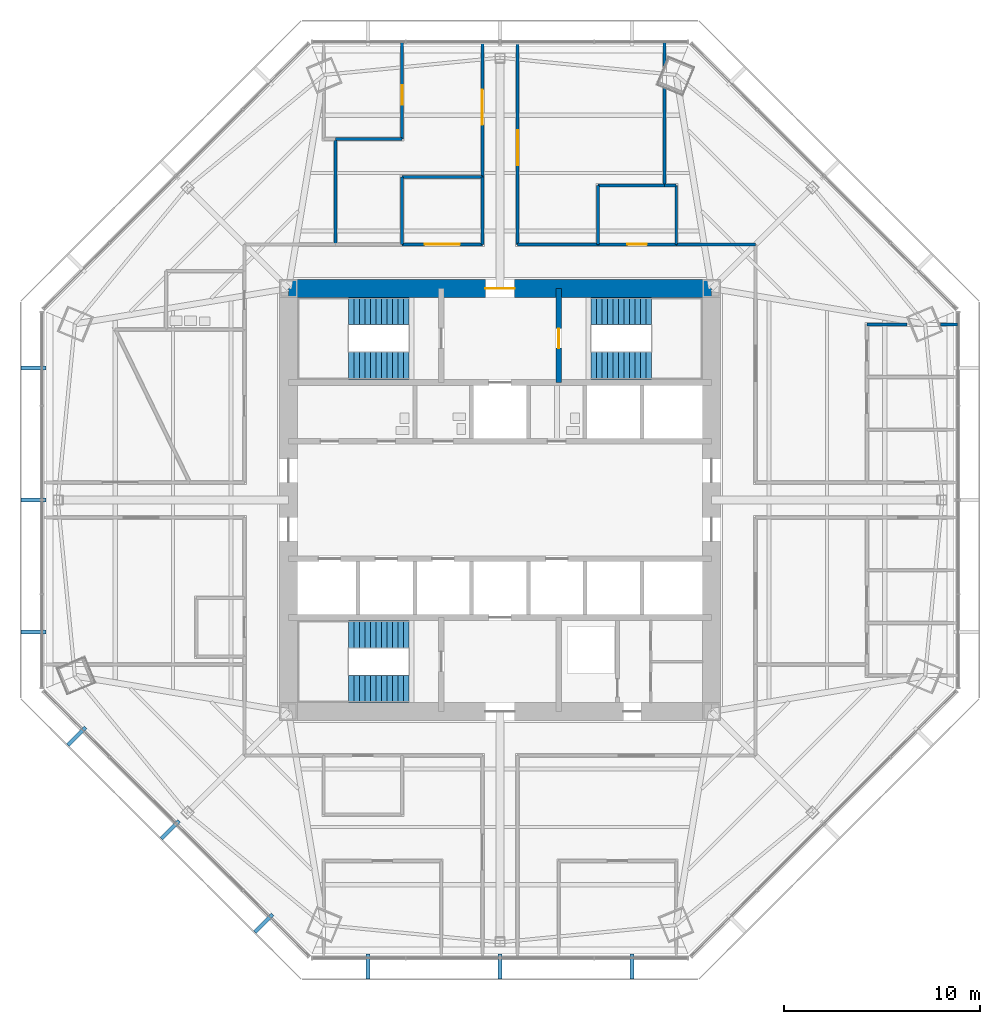
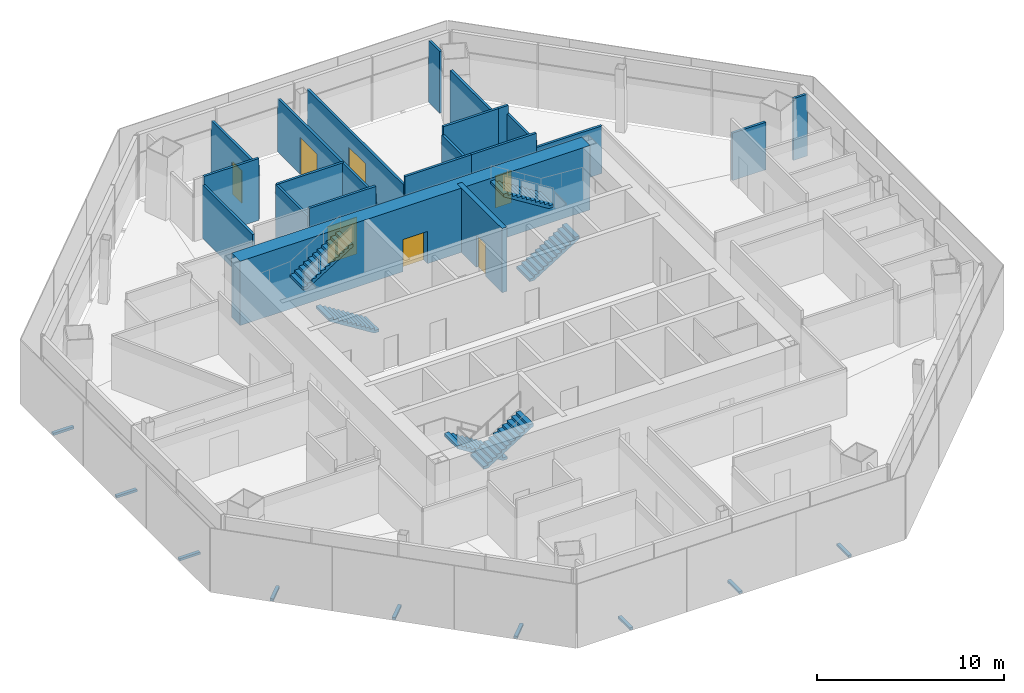
# One storey, part 11 of 15: 22 walls, 9 discrete accessories, 7 doors, 6 stair flights, 7 openings, 3 elements without a shape of their own.
"""IFC4 building model written with IfcOpenShell, lengths in metres."""

from ifc_helpers import new_model, si_unit, direction, frame, frame_2d, origin, origin_2d, place, context, subcontext, project, spatial, polyline, rectangle, outline, extrude, source, transform, mapped, material, layer, layer_set, type_object, type_shapes, element, fill, aggregate, save


model = new_model("IFC4")

# Units and contexts
model_context = context("Model", 3, precision=1e-05, world=origin(), true_north=direction((0.0, 1.0)))
body_context = subcontext(model_context, "Body", "Model", "MODEL_VIEW")
ifc_project = project(units=[si_unit("LENGTHUNIT", "METRE"), si_unit("AREAUNIT", "SQUARE_METRE"), si_unit("VOLUMEUNIT", "CUBIC_METRE"), si_unit("PLANEANGLEUNIT", "RADIAN"), si_unit("MASSUNIT", "GRAM", prefix="KILO")], contexts=[model_context])

# Site, building, storey
site_placement = place(None, origin())
site = spatial("IfcSite", under=ifc_project, at=site_placement, CompositionType="ELEMENT")
building_placement = place(site_placement, origin())
building = spatial("IfcBuilding", under=site, at=building_placement, Name="Mashrafa Tower", CompositionType="ELEMENT")
storey_placement = place(building_placement, frame((0.0, 0.0, 163.800048828125)))
storey = spatial("IfcBuildingStorey", under=building, at=storey_placement, Name="L37", CompositionType="ELEMENT", Elevation=163.800048828125)

# Wall, opening, door
ifc_material_1 = material(Name="Concrete C60/75", Category="concrete")
ifc_layer_1 = layer(ifc_material_1, 0.300048828125)
ifc_layer_set_1 = layer_set([ifc_layer_1], Name="Core wall 300 C60/75")
wall_type_1 = type_object("IfcWallType", Name="Core wall 300 C60/75", PredefinedType="SOLIDWALL", material=ifc_layer_set_1)
wall_1_placement = place(storey_placement, frame((3.0, 6.0, 0.0), z_axis=(0.0, 0.0, 1.0), x_axis=(0.0, 1.0, 0.0)))
wall_1 = element("IfcWall", 1, at=wall_1_placement, inside=storey, type_object=wall_type_1, Name="Core wall CX-NE L37", PredefinedType="SOLIDWALL", context=body_context, shape_type="SweptSolid", body=[
    extrude(rectangle(XDim=4.800048828125, YDim=0.300048828125, at=frame_2d((2.39990234375, 0.0))), origin(), (0.0, 0.0, 1.0), 4.199951171875),
])
opening_1_placement = place(wall_1_placement, frame((1.75, 0.0, 0.0)))
opening_1 = element("IfcOpeningElement", 2, at=opening_1_placement, cuts=wall_1, Name="Opening 37.031", PredefinedType="OPENING", context=body_context, shape_type="SweptSolid", body=[
    extrude(rectangle(XDim=1.0, YDim=2.10009765625, at=frame_2d((0.5, 1.050048828125))), frame((0.0, 0.159912109375, 0.0), z_axis=(0.0, -1.0, 0.0), x_axis=(1.0, 0.0, 0.0)), (0.0, 0.0, 1.0), 0.320068359375),
])
ifc_material_2 = material(Name="Steel door", Category="steel")
door_type_1 = type_object("IfcDoorType", Name="Stair door 1000 x 2100 90 min", OperationType="USERDEFINED", PredefinedType="DOOR", material=ifc_material_2)
door_1_placement = place(opening_1_placement, frame((1.0, 0.0, 0.0), z_axis=(0.0, 0.0, 1.0), x_axis=(-1.0, 0.0, 0.0)))
door_1 = element("IfcDoor", 3, at=door_1_placement, inside=storey, type_object=door_type_1, Name="Stair S2 door L37", OperationType="SINGLE_SWING_RIGHT", OverallHeight=2.10009765625, OverallWidth=1.0, PredefinedType="DOOR", context=body_context, shape_type="SweptSolid", body=[
    extrude(rectangle(XDim=1.0, YDim=2.10009765625, at=frame_2d((0.5, 1.050048828125))), frame((0.0, 0.02490234375, 0.0), z_axis=(0.0, -1.0, 0.0), x_axis=(1.0, 0.0, 0.0)), (0.0, 0.0, 1.0), 0.050048828125),
])
fill(opening_1, door_1)

ifc_material_3 = material(Name="Concrete C60/75", Category="concrete")
ifc_layer_2 = layer(ifc_material_3, 0.89990234375)
ifc_layer_set_2 = layer_set([ifc_layer_2], Name="Core wall 900 C60/75")
wall_type_2 = type_object("IfcWallType", Name="Core wall 900 C60/75", PredefinedType="SOLIDWALL", material=ifc_layer_set_2)
wall_2_placement = place(storey_placement, frame((10.800048828125, 10.800048828125, 0.0), z_axis=(0.0, 0.0, 1.0), x_axis=(-1.0, 0.0, 0.0)))
wall_2 = element("IfcWall", 4, at=wall_2_placement, inside=storey, type_object=wall_type_2, Name="Core wall CW-N L37", PredefinedType="SOLIDWALL", context=body_context, shape_type="SweptSolid", body=[
    extrude(rectangle(XDim=21.60009765625, YDim=0.89990234375, at=frame_2d((10.800048828125, 0.0))), origin(), (0.0, 0.0, 1.0), 4.199951171875),
])
opening_2_placement = place(wall_2_placement, frame((10.050048828125, 0.0, 0.0)))
opening_2 = element("IfcOpeningElement", 5, at=opening_2_placement, cuts=wall_2, Name="Opening 37.028", PredefinedType="OPENING", context=body_context, shape_type="SweptSolid", body=[
    extrude(rectangle(XDim=1.5, YDim=2.10009765625, at=frame_2d((0.75, 1.050048828125))), frame((0.0, 0.4599609375, 0.0), z_axis=(0.0, -1.0, 0.0), x_axis=(1.0, 0.0, 0.0)), (0.0, 0.0, 1.0), 0.919921875),
])
ifc_material_4 = material(Name="Steel door", Category="steel")
door_type_2 = type_object("IfcDoorType", Name="Lobby door pair 1500 x 2100 90 min", OperationType="DOUBLE_DOOR_SINGLE_SWING", PredefinedType="DOOR", material=ifc_material_4)
door_2_placement = place(opening_2_placement, origin())
door_2 = element("IfcDoor", 6, at=door_2_placement, inside=storey, type_object=door_type_2, Name="Fire-fighting lobby F1 door L37", OperationType="DOUBLE_DOOR_SINGLE_SWING", OverallHeight=2.10009765625, OverallWidth=1.5, PredefinedType="DOOR", context=body_context, shape_type="SweptSolid", body=[
    extrude(rectangle(XDim=1.5, YDim=2.10009765625, at=frame_2d((0.75, 1.050048828125))), frame((0.0, 0.02490234375, 0.0), z_axis=(0.0, -1.0, 0.0), x_axis=(1.0, 0.0, 0.0)), (0.0, 0.0, 1.0), 0.050048828125),
])
fill(opening_2, door_2)

# Wall
ifc_material_5 = material(Name="Gypsum board on steel studs", Category="steel")
ifc_layer_3 = layer(ifc_material_5, 0.14990234375)
ifc_layer_set_3 = layer_set([ifc_layer_3], Name="Corridor partition 150 1 hr")
wall_type_3 = type_object("IfcWallType", Name="Corridor partition 150 1 hr", PredefinedType="PARTITIONING", material=ifc_layer_set_3)
wall_3_placement = place(storey_placement, frame((-0.89990234375, 16.5009765625, 0.0), z_axis=(0.0, 0.0, 1.0), x_axis=(0.0, -1.0, 0.0)))
element("IfcWall", 7, at=wall_3_placement, inside=storey, type_object=wall_type_3, Name="Corridor wall L37-004", PredefinedType="PARTITIONING", context=body_context, shape_type="SweptSolid", body=[
    extrude(rectangle(XDim=3.450927734375, YDim=0.14990234375, at=frame_2d((1.7255859375, 0.0))), origin(), (0.0, 0.0, 1.0), 3.491455078125),
])

# Wall, opening, door
wall_4_placement = place(storey_placement, frame((-0.89990234375, 13.050048828125, 0.0), z_axis=(0.0, 0.0, 1.0), x_axis=(-1.0, 0.0, 0.0)))
wall_4 = element("IfcWall", 8, at=wall_4_placement, inside=storey, type_object=wall_type_3, Name="Corridor wall L37-005", PredefinedType="PARTITIONING", context=body_context, shape_type="SweptSolid", body=[
    extrude(rectangle(XDim=4.10107421875, YDim=0.14990234375, at=frame_2d((2.050537109375, 0.0))), origin(), (0.0, 0.0, 1.0), 4.034912109375),
])
opening_3_placement = place(wall_4_placement, frame((1.150390625, 0.0, 0.0)))
opening_3 = element("IfcOpeningElement", 9, at=opening_3_placement, cuts=wall_4, Name="Opening 37.003", PredefinedType="OPENING", context=body_context, shape_type="SweptSolid", body=[
    extrude(rectangle(XDim=1.800048828125, YDim=2.39990234375, at=frame_2d((0.89990234375, 1.199951171875))), frame((0.0, 0.0849609375, 0.0), z_axis=(0.0, -1.0, 0.0), x_axis=(1.0, 0.0, 0.0)), (0.0, 0.0, 1.0), 0.169921875),
])
ifc_material_6 = material(Name="Steel door", Category="steel")
door_type_3 = type_object("IfcDoorType", Name="Door pair 1800 x 2400 90 min", OperationType="DOUBLE_DOOR_SINGLE_SWING", PredefinedType="DOOR", material=ifc_material_6)
door_3_placement = place(opening_3_placement, origin())
door_3 = element("IfcDoor", 10, at=door_3_placement, inside=storey, type_object=door_type_3, Name="Reception 37-1 door", OperationType="DOUBLE_DOOR_SINGLE_SWING", OverallHeight=2.39990234375, OverallWidth=1.800048828125, PredefinedType="DOOR", context=body_context, shape_type="SweptSolid", body=[
    extrude(rectangle(XDim=1.800048828125, YDim=2.39990234375, at=frame_2d((0.89990234375, 1.199951171875))), frame((0.0, 0.02490234375, 0.0), z_axis=(0.0, -1.0, 0.0), x_axis=(1.0, 0.0, 0.0)), (0.0, 0.0, 1.0), 0.050048828125),
])
fill(opening_3, door_3)

wall_5_placement = place(storey_placement, frame((9.0009765625, 13.050048828125, 0.0), z_axis=(0.0, 0.0, 1.0), x_axis=(-1.0, 0.0, 0.0)))
wall_5 = element("IfcWall", 11, at=wall_5_placement, inside=storey, type_object=wall_type_3, Name="Corridor wall L37-006", PredefinedType="PARTITIONING", context=body_context, shape_type="SweptSolid", body=[
    extrude(rectangle(XDim=4.001953125, YDim=0.14990234375, at=frame_2d((2.0009765625, 0.0))), origin(), (0.0, 0.0, 1.0), 4.034912109375),
])
opening_4_placement = place(wall_5_placement, frame((1.5009765625, 0.0, 0.0)))
opening_4 = element("IfcOpeningElement", 12, at=opening_4_placement, cuts=wall_5, Name="Opening 37.005", PredefinedType="OPENING", context=body_context, shape_type="SweptSolid", body=[
    extrude(rectangle(XDim=1.0, YDim=2.10009765625, at=frame_2d((0.5, 1.050048828125))), frame((0.0, 0.0849609375, 0.0), z_axis=(0.0, -1.0, 0.0), x_axis=(1.0, 0.0, 0.0)), (0.0, 0.0, 1.0), 0.169921875),
])
ifc_material_7 = material(Name="Timber door", Category="wood")
door_type_4 = type_object("IfcDoorType", Name="Door 1000 x 2100", OperationType="USERDEFINED", PredefinedType="DOOR", material=ifc_material_7)
door_4_placement = place(opening_4_placement, frame((1.0, 0.0, 0.0), z_axis=(0.0, 0.0, 1.0), x_axis=(-1.0, 0.0, 0.0)))
door_4 = element("IfcDoor", 13, at=door_4_placement, inside=storey, type_object=door_type_4, Name="Pantry 37-1 door", OperationType="SINGLE_SWING_RIGHT", OverallHeight=2.10009765625, OverallWidth=1.0, PredefinedType="DOOR", context=body_context, shape_type="SweptSolid", body=[
    extrude(rectangle(XDim=1.0, YDim=2.10009765625, at=frame_2d((0.5, 1.050048828125))), frame((0.0, 0.02490234375, 0.0), z_axis=(0.0, -1.0, 0.0), x_axis=(1.0, 0.0, 0.0)), (0.0, 0.0, 1.0), 0.050048828125),
])
fill(opening_4, door_4)

# Walls
wall_6_placement = place(storey_placement, frame((13.050048828125, 13.050048828125, 0.0), z_axis=(0.0, 0.0, 1.0), x_axis=(-1.0, 0.0, 0.0)))
element("IfcWall", 14, at=wall_6_placement, inside=storey, type_object=wall_type_3, Name="Corridor wall L37-013", PredefinedType="PARTITIONING", context=body_context, shape_type="SweptSolid", body=[
    extrude(rectangle(XDim=4.051025390625, YDim=0.14990234375, at=frame_2d((2.025390625, 0.0))), origin(), (0.0, 0.0, 1.0), 3.097900390625),
])
wall_7_placement = place(storey_placement, frame((5.0009765625, 13.050048828125, 0.0), z_axis=(0.0, 0.0, 1.0), x_axis=(-1.0, 0.0, 0.0)))
element("IfcWall", 15, at=wall_7_placement, inside=storey, type_object=wall_type_3, Name="Corridor wall L37-014", PredefinedType="PARTITIONING", context=body_context, shape_type="SweptSolid", body=[
    extrude(rectangle(XDim=4.10107421875, YDim=0.14990234375, at=frame_2d((2.050537109375, 0.0))), origin(), (0.0, 0.0, 1.0), 4.034912109375),
])

# Wall, opening, door
wall_8_placement = place(storey_placement, frame((0.89990234375, 13.050048828125, 0.0), z_axis=(0.0, 0.0, 1.0), x_axis=(0.0, 1.0, 0.0)))
wall_8 = element("IfcWall", 16, at=wall_8_placement, inside=storey, type_object=wall_type_3, Name="Corridor wall L37-015", PredefinedType="PARTITIONING", context=body_context, shape_type="SweptSolid", body=[
    extrude(rectangle(XDim=10.31494140625, YDim=0.14990234375, at=frame_2d((5.157470703125, 0.0))), origin(), (0.0, 0.0, 1.0), 3.491455078125),
])
opening_5_placement = place(wall_8_placement, frame((4.04052734375, 0.0, 0.0)))
opening_5 = element("IfcOpeningElement", 17, at=opening_5_placement, cuts=wall_8, Name="Opening 37.017", PredefinedType="OPENING", context=body_context, shape_type="SweptSolid", body=[
    extrude(rectangle(XDim=1.800048828125, YDim=2.39990234375, at=frame_2d((0.89990234375, 1.199951171875))), frame((0.0, 0.0849609375, 0.0), z_axis=(0.0, -1.0, 0.0), x_axis=(1.0, 0.0, 0.0)), (0.0, 0.0, 1.0), 0.169921875),
])
ifc_material_8 = material(Name="Timber door", Category="wood")
door_type_5 = type_object("IfcDoorType", Name="Door pair 1800 x 2400", OperationType="DOUBLE_DOOR_SINGLE_SWING", PredefinedType="DOOR", material=ifc_material_8)
door_5_placement = place(opening_5_placement, frame((1.800048828125, 0.0, 0.0), z_axis=(0.0, 0.0, 1.0), x_axis=(-1.0, 0.0, 0.0)))
door_5 = element("IfcDoor", 18, at=door_5_placement, inside=storey, type_object=door_type_5, Name="Office Tenancy 37-2-NE2 door", OperationType="DOUBLE_DOOR_SINGLE_SWING", OverallHeight=2.39990234375, OverallWidth=1.800048828125, PredefinedType="DOOR", context=body_context, shape_type="SweptSolid", body=[
    extrude(rectangle(XDim=1.800048828125, YDim=2.39990234375, at=frame_2d((0.89990234375, 1.199951171875))), frame((0.0, 0.02490234375, 0.0), z_axis=(0.0, -1.0, 0.0), x_axis=(1.0, 0.0, 0.0)), (0.0, 0.0, 1.0), 0.050048828125),
])
fill(opening_5, door_5)

wall_9_placement = place(storey_placement, frame((-0.89990234375, 23.364990234375, 0.0), z_axis=(0.0, 0.0, 1.0), x_axis=(0.0, -1.0, 0.0)))
wall_9 = element("IfcWall", 19, at=wall_9_placement, inside=storey, type_object=wall_type_3, Name="Corridor wall L37-020", PredefinedType="PARTITIONING", context=body_context, shape_type="SweptSolid", body=[
    extrude(rectangle(XDim=6.865966796875, YDim=0.14990234375, at=frame_2d((3.43310546875, 0.0))), origin(), (0.0, 0.0, 1.0), 3.491455078125),
])
opening_6_placement = place(wall_9_placement, frame((2.4150390625, 0.0, 0.0)))
opening_6 = element("IfcOpeningElement", 20, at=opening_6_placement, cuts=wall_9, Name="Opening 37.019", PredefinedType="OPENING", context=body_context, shape_type="SweptSolid", body=[
    extrude(rectangle(XDim=1.800048828125, YDim=2.39990234375, at=frame_2d((0.89990234375, 1.199951171875))), frame((0.0, 0.0849609375, 0.0), z_axis=(0.0, -1.0, 0.0), x_axis=(1.0, 0.0, 0.0)), (0.0, 0.0, 1.0), 0.169921875),
])
door_6_placement = place(opening_6_placement, frame((1.800048828125, 0.0, 0.0), z_axis=(0.0, 0.0, 1.0), x_axis=(-1.0, 0.0, 0.0)))
door_6 = element("IfcDoor", 21, at=door_6_placement, inside=storey, type_object=door_type_5, Name="Office Tenancy 37-1-NW2 door", OperationType="DOUBLE_DOOR_SINGLE_SWING", OverallHeight=2.39990234375, OverallWidth=1.800048828125, PredefinedType="DOOR", context=body_context, shape_type="SweptSolid", body=[
    extrude(rectangle(XDim=1.800048828125, YDim=2.39990234375, at=frame_2d((0.89990234375, 1.199951171875))), frame((0.0, 0.02490234375, 0.0), z_axis=(0.0, -1.0, 0.0), x_axis=(1.0, 0.0, 0.0)), (0.0, 0.0, 1.0), 0.050048828125),
])
fill(opening_6, door_6)

# Walls
wall_10_placement = place(storey_placement, frame((-0.89990234375, 16.5, 0.0), z_axis=(0.0, 0.0, 1.0), x_axis=(-1.0, 0.0, 0.0)))
element("IfcWall", 22, at=wall_10_placement, inside=storey, type_object=wall_type_3, Name="Corridor wall L37-038", PredefinedType="PARTITIONING", context=body_context, shape_type="SweptSolid", body=[
    extrude(rectangle(XDim=4.10009765625, YDim=0.14990234375, at=frame_2d((2.050048828125, 0.0))), origin(), (0.0, 0.0, 1.0), 3.499267578125),
])
wall_11_placement = place(storey_placement, frame((-5.0, 16.5, 0.0), z_axis=(0.0, 0.0, 1.0), x_axis=(0.0, -1.0, 0.0)))
element("IfcWall", 23, at=wall_11_placement, inside=storey, type_object=wall_type_3, Name="Corridor wall L37-039", PredefinedType="PARTITIONING", context=body_context, shape_type="SweptSolid", body=[
    extrude(rectangle(XDim=3.449951171875, YDim=0.14990234375, at=frame_2d((1.72509765625, 0.0))), origin(), (0.0, 0.0, 1.0), 3.491455078125),
])
ifc_material_9 = material(Name="Gypsum board on steel studs", Category="steel")
ifc_layer_4 = layer(ifc_material_9, 0.14990234375)
ifc_layer_set_4 = layer_set([ifc_layer_4], Name="Partition 150")
wall_type_4 = type_object("IfcWallType", Name="Partition 150", PredefinedType="PARTITIONING", material=ifc_layer_set_4)
wall_12_placement = place(storey_placement, frame((-8.40087890625, 18.430908203125, 0.0), z_axis=(0.0, 0.0, 1.0), x_axis=(1.0, 0.0, 0.0)))
element("IfcWall", 24, at=wall_12_placement, inside=storey, type_object=wall_type_4, Name="Partition wall L37-043", PredefinedType="PARTITIONING", context=body_context, shape_type="SweptSolid", body=[
    extrude(rectangle(XDim=3.40087890625, YDim=0.14990234375, at=frame_2d((1.700439453125, 0.0))), origin(), (0.0, 0.0, 1.0), 4.034912109375),
])

# Wall, opening, door
wall_13_placement = place(storey_placement, frame((-5.0, 18.430908203125, 0.0), z_axis=(0.0, 0.0, 1.0), x_axis=(0.0, 1.0, 0.0)))
wall_13 = element("IfcWall", 25, at=wall_13_placement, inside=storey, type_object=wall_type_4, Name="Partition wall L37-044", PredefinedType="PARTITIONING", context=body_context, shape_type="SweptSolid", body=[
    extrude(rectangle(XDim=4.93408203125, YDim=0.14990234375, at=frame_2d((2.467041015625, 0.0))), origin(), (0.0, 0.0, 1.0), 3.491455078125),
])
opening_7_placement = place(wall_13_placement, frame((1.75, 0.0, 0.0)))
opening_7 = element("IfcOpeningElement", 26, at=opening_7_placement, cuts=wall_13, Name="Opening 37.004", PredefinedType="OPENING", context=body_context, shape_type="SweptSolid", body=[
    extrude(rectangle(XDim=1.0, YDim=2.10009765625, at=frame_2d((0.5, 1.050048828125))), frame((0.0, 0.0849609375, 0.0), z_axis=(0.0, -1.0, 0.0), x_axis=(1.0, 0.0, 0.0)), (0.0, 0.0, 1.0), 0.169921875),
])
door_7_placement = place(opening_7_placement, origin())
door_7 = element("IfcDoor", 27, at=door_7_placement, inside=storey, type_object=door_type_4, Name="Meeting Room 37-1-NW2 door", OperationType="SINGLE_SWING_LEFT", OverallHeight=2.10009765625, OverallWidth=1.0, PredefinedType="DOOR", context=body_context, shape_type="SweptSolid", body=[
    extrude(rectangle(XDim=1.0, YDim=2.10009765625, at=frame_2d((0.5, 1.050048828125))), frame((0.0, 0.02490234375, 0.0), z_axis=(0.0, -1.0, 0.0), x_axis=(1.0, 0.0, 0.0)), (0.0, 0.0, 1.0), 0.050048828125),
])
fill(opening_7, door_7)

# Walls
wall_14_placement = place(storey_placement, frame((9.0, 13.050048828125, 0.0), z_axis=(0.0, 0.0, 1.0), x_axis=(0.0, 1.0, 0.0)))
element("IfcWall", 28, at=wall_14_placement, inside=storey, type_object=wall_type_4, Name="Partition wall L37-045", PredefinedType="PARTITIONING", context=body_context, shape_type="SweptSolid", body=[
    extrude(rectangle(XDim=3.0, YDim=0.14990234375, at=frame_2d((1.5, 0.0))), origin(), (0.0, 0.0, 1.0), 3.491455078125),
])
wall_15_placement = place(storey_placement, frame((9.0, 16.050048828125, 0.0), z_axis=(0.0, 0.0, 1.0), x_axis=(-1.0, 0.0, 0.0)))
element("IfcWall", 29, at=wall_15_placement, inside=storey, type_object=wall_type_4, Name="Partition wall L37-046", PredefinedType="PARTITIONING", context=body_context, shape_type="SweptSolid", body=[
    extrude(rectangle(XDim=0.60107421875, YDim=0.14990234375, at=frame_2d((0.300537109375, 0.0))), origin(), (0.0, 0.0, 1.0), 4.034912109375),
])
wall_16_placement = place(storey_placement, frame((8.40087890625, 16.050048828125, 0.0), z_axis=(0.0, 0.0, 1.0), x_axis=(-1.0, 0.0, 0.0)))
element("IfcWall", 30, at=wall_16_placement, inside=storey, type_object=wall_type_4, Name="Partition wall L37-047", PredefinedType="PARTITIONING", context=body_context, shape_type="SweptSolid", body=[
    extrude(rectangle(XDim=3.40087890625, YDim=0.14990234375, at=frame_2d((1.700439453125, 0.0))), origin(), (0.0, 0.0, 1.0), 4.034912109375),
])
wall_17_placement = place(storey_placement, frame((5.0, 16.050048828125, 0.0), z_axis=(0.0, 0.0, 1.0), x_axis=(0.0, -1.0, 0.0)))
element("IfcWall", 31, at=wall_17_placement, inside=storey, type_object=wall_type_4, Name="Partition wall L37-048", PredefinedType="PARTITIONING", context=body_context, shape_type="SweptSolid", body=[
    extrude(rectangle(XDim=3.0, YDim=0.14990234375, at=frame_2d((1.5, 0.0))), origin(), (0.0, 0.0, 1.0), 3.491455078125),
])
wall_18_placement = place(storey_placement, frame((23.363037109375, 8.965087890625, 0.0), z_axis=(0.0, 0.0, 1.0), x_axis=(-1.0, 0.0, 0.0)))
element("IfcWall", 32, at=wall_18_placement, inside=storey, type_object=wall_type_4, Name="Partition wall L37-067", PredefinedType="PARTITIONING", context=body_context, shape_type="SweptSolid", body=[
    extrude(rectangle(XDim=0.871337890625, YDim=0.14990234375, at=frame_2d((0.435546875, 0.0))), origin(), (0.0, 0.0, 1.0), 4.034912109375),
])
wall_19_placement = place(storey_placement, frame((20.795166015625, 8.965087890625, 0.0), z_axis=(0.0, 0.0, 1.0), x_axis=(-1.0, 0.0, 0.0)))
element("IfcWall", 33, at=wall_19_placement, inside=storey, type_object=wall_type_4, Name="Partition wall L37-068", PredefinedType="PARTITIONING", context=body_context, shape_type="SweptSolid", body=[
    extrude(rectangle(XDim=2.064208984375, YDim=0.14990234375, at=frame_2d((1.0322265625, 0.0))), origin(), (0.0, 0.0, 1.0), 3.097900390625),
])
wall_20_placement = place(storey_placement, frame((8.39990234375, 23.363037109375, 0.0), z_axis=(0.0, 0.0, 1.0), x_axis=(0.0, -1.0, 0.0)))
element("IfcWall", 34, at=wall_20_placement, inside=storey, type_object=wall_type_4, Name="Partition wall L37-078", PredefinedType="PARTITIONING", context=body_context, shape_type="SweptSolid", body=[
    extrude(rectangle(XDim=1.204833984375, YDim=0.14990234375, at=frame_2d((0.6025390625, 0.0))), origin(), (0.0, 0.0, 1.0), 4.034912109375),
])
wall_21_placement = place(storey_placement, frame((8.39990234375, 21.029296875, 0.0), z_axis=(0.0, 0.0, 1.0), x_axis=(0.0, -1.0, 0.0)))
element("IfcWall", 35, at=wall_21_placement, inside=storey, type_object=wall_type_4, Name="Partition wall L37-079", PredefinedType="PARTITIONING", context=body_context, shape_type="SweptSolid", body=[
    extrude(rectangle(XDim=4.979248046875, YDim=0.14990234375, at=frame_2d((2.48974609375, 0.0))), origin(), (0.0, 0.0, 1.0), 3.491455078125),
])
wall_22_placement = place(storey_placement, frame((-8.39990234375, 13.050048828125, 0.0), z_axis=(0.0, 0.0, 1.0), x_axis=(0.0, 1.0, 0.0)))
element("IfcWall", 36, at=wall_22_placement, inside=storey, type_object=wall_type_4, Name="Partition wall L37-080", PredefinedType="PARTITIONING", context=body_context, shape_type="SweptSolid", body=[
    extrude(rectangle(XDim=5.380859375, YDim=0.14990234375, at=frame_2d((2.6904296875, 0.0))), origin(), (0.0, 0.0, 1.0), 3.491455078125),
])

# Stair, stair flights
ifc_material_10 = material(Name="Exit stair 1400")
stair_type = type_object("IfcStairType", Name="Exit stair 1400", PredefinedType="HALF_TURN_STAIR", material=ifc_material_10)
stair_1_placement = place(storey_placement, origin())
stair_1 = element("IfcStair", 37, at=stair_1_placement, inside=storey, type_object=stair_type, Name="Stair S1 L37", PredefinedType="HALF_TURN_STAIR")
ifc_material_11 = material(Name="Concrete C32/40", Category="concrete")
stair_flight_type = type_object("IfcStairFlightType", Name="Stair flight 1400", PredefinedType="STRAIGHT", material=ifc_material_11)
stair_flight_1_placement = place(storey_placement, frame((-4.64990234375, 6.85009765625, 0.0), z_axis=(0.0, 0.0, 1.0), x_axis=(-1.0, 0.0, 0.0)))
stair_flight_1 = element("IfcStairFlight", 38, at=stair_flight_1_placement, type_object=stair_flight_type, Name="S1 flight 1", NumberOfRisers=12, NumberOfTreads=11, PredefinedType="STRAIGHT", RiserHeight=0.175, TreadLength=0.28, context=body_context, shape_type="SweptSolid", body=[
    extrude(outline(polyline([(0.0, 0.0), (0.0, 0.175048828125), (0.280029296875, 0.175048828125), (0.280029296875, 0.35009765625), (0.56005859375, 0.35009765625), (0.56005859375, 0.52490234375), (0.840087890625, 0.52490234375), (0.840087890625, 0.699951171875), (1.1201171875, 0.699951171875), (1.1201171875, 0.875), (1.39990234375, 0.875), (1.39990234375, 1.050048828125), (1.679931640625, 1.050048828125), (1.679931640625, 1.22509765625), (1.9599609375, 1.22509765625), (1.9599609375, 1.39990234375), (2.239990234375, 1.39990234375), (2.239990234375, 1.574951171875), (2.52001953125, 1.574951171875), (2.52001953125, 1.75), (2.800048828125, 1.75), (2.800048828125, 1.925048828125), (3.080078125, 1.925048828125), (3.080078125, 2.10009765625), (3.080078125, 1.748291015625), (0.28271484375, 0.0), (0.0, 0.0)])), frame((0.0, 0.699951171875, 0.0), z_axis=(0.0, -1.0, 0.0), x_axis=(1.0, 0.0, 0.0)), (0.0, 0.0, 1.0), 1.39990234375),
])
stair_flight_2_placement = place(storey_placement, frame((-7.72998046875, 9.64990234375, 2.099853515625), z_axis=(0.0, 0.0, 1.0), x_axis=(1.0, 0.0, 0.0)))
stair_flight_2 = element("IfcStairFlight", 39, at=stair_flight_2_placement, type_object=stair_flight_type, Name="S1 flight 2", NumberOfRisers=12, NumberOfTreads=11, PredefinedType="STRAIGHT", RiserHeight=0.175, TreadLength=0.28, context=body_context, shape_type="SweptSolid", body=[
    extrude(outline(polyline([(0.0, 0.0), (0.0, 0.175048828125), (0.280029296875, 0.175048828125), (0.280029296875, 0.35009765625), (0.56005859375, 0.35009765625), (0.56005859375, 0.52490234375), (0.840087890625, 0.52490234375), (0.840087890625, 0.699951171875), (1.1201171875, 0.699951171875), (1.1201171875, 0.875), (1.39990234375, 0.875), (1.39990234375, 1.050048828125), (1.679931640625, 1.050048828125), (1.679931640625, 1.22509765625), (1.9599609375, 1.22509765625), (1.9599609375, 1.39990234375), (2.239990234375, 1.39990234375), (2.239990234375, 1.574951171875), (2.52001953125, 1.574951171875), (2.52001953125, 1.75), (2.800048828125, 1.75), (2.800048828125, 1.925048828125), (3.080078125, 1.925048828125), (3.080078125, 2.10009765625), (3.080078125, 1.748291015625), (0.28271484375, 0.0), (0.0, 0.0)])), frame((0.0, 0.699951171875, 0.0), z_axis=(0.0, -1.0, 0.0), x_axis=(1.0, 0.0, 0.0)), (0.0, 0.0, 1.0), 1.39990234375),
])
aggregate(stair_1, [stair_flight_1, stair_flight_2])

stair_2_placement = place(storey_placement, origin())
stair_2 = element("IfcStair", 40, at=stair_2_placement, inside=storey, type_object=stair_type, Name="Stair S2 L37", PredefinedType="HALF_TURN_STAIR")
stair_flight_3_placement = place(storey_placement, frame((4.64990234375, 6.85009765625, 0.0), z_axis=(0.0, 0.0, 1.0), x_axis=(1.0, 0.0, 0.0)))
stair_flight_3 = element("IfcStairFlight", 41, at=stair_flight_3_placement, type_object=stair_flight_type, Name="S2 flight 1", NumberOfRisers=12, NumberOfTreads=11, PredefinedType="STRAIGHT", RiserHeight=0.175, TreadLength=0.28, context=body_context, shape_type="SweptSolid", body=[
    extrude(outline(polyline([(0.0, 0.0), (0.0, 0.175048828125), (0.280029296875, 0.175048828125), (0.280029296875, 0.35009765625), (0.56005859375, 0.35009765625), (0.56005859375, 0.52490234375), (0.840087890625, 0.52490234375), (0.840087890625, 0.699951171875), (1.1201171875, 0.699951171875), (1.1201171875, 0.875), (1.39990234375, 0.875), (1.39990234375, 1.050048828125), (1.679931640625, 1.050048828125), (1.679931640625, 1.22509765625), (1.9599609375, 1.22509765625), (1.9599609375, 1.39990234375), (2.239990234375, 1.39990234375), (2.239990234375, 1.574951171875), (2.52001953125, 1.574951171875), (2.52001953125, 1.75), (2.800048828125, 1.75), (2.800048828125, 1.925048828125), (3.080078125, 1.925048828125), (3.080078125, 2.10009765625), (3.080078125, 1.748291015625), (0.28271484375, 0.0), (0.0, 0.0)])), frame((0.0, 0.699951171875, 0.0), z_axis=(0.0, -1.0, 0.0), x_axis=(1.0, 0.0, 0.0)), (0.0, 0.0, 1.0), 1.39990234375),
])
stair_flight_4_placement = place(storey_placement, frame((7.72998046875, 9.64990234375, 2.099853515625), z_axis=(0.0, 0.0, 1.0), x_axis=(-1.0, 0.0, 0.0)))
stair_flight_4 = element("IfcStairFlight", 42, at=stair_flight_4_placement, type_object=stair_flight_type, Name="S2 flight 2", NumberOfRisers=12, NumberOfTreads=11, PredefinedType="STRAIGHT", RiserHeight=0.175, TreadLength=0.28, context=body_context, shape_type="SweptSolid", body=[
    extrude(outline(polyline([(0.0, 0.0), (0.0, 0.175048828125), (0.280029296875, 0.175048828125), (0.280029296875, 0.35009765625), (0.56005859375, 0.35009765625), (0.56005859375, 0.52490234375), (0.840087890625, 0.52490234375), (0.840087890625, 0.699951171875), (1.1201171875, 0.699951171875), (1.1201171875, 0.875), (1.39990234375, 0.875), (1.39990234375, 1.050048828125), (1.679931640625, 1.050048828125), (1.679931640625, 1.22509765625), (1.9599609375, 1.22509765625), (1.9599609375, 1.39990234375), (2.239990234375, 1.39990234375), (2.239990234375, 1.574951171875), (2.52001953125, 1.574951171875), (2.52001953125, 1.75), (2.800048828125, 1.75), (2.800048828125, 1.925048828125), (3.080078125, 1.925048828125), (3.080078125, 2.10009765625), (3.080078125, 1.748291015625), (0.28271484375, 0.0), (0.0, 0.0)])), frame((0.0, 0.699951171875, 0.0), z_axis=(0.0, -1.0, 0.0), x_axis=(1.0, 0.0, 0.0)), (0.0, 0.0, 1.0), 1.39990234375),
])
aggregate(stair_2, [stair_flight_3, stair_flight_4])

stair_3_placement = place(storey_placement, origin())
stair_3 = element("IfcStair", 43, at=stair_3_placement, inside=storey, type_object=stair_type, Name="Stair S3 L37", PredefinedType="HALF_TURN_STAIR")
stair_flight_5_placement = place(storey_placement, frame((-4.64990234375, -6.85009765625, 0.0), z_axis=(0.0, 0.0, 1.0), x_axis=(-1.0, 0.0, 0.0)))
stair_flight_5 = element("IfcStairFlight", 44, at=stair_flight_5_placement, type_object=stair_flight_type, Name="S3 flight 1", NumberOfRisers=12, NumberOfTreads=11, PredefinedType="STRAIGHT", RiserHeight=0.175, TreadLength=0.28, context=body_context, shape_type="SweptSolid", body=[
    extrude(outline(polyline([(0.0, 0.0), (0.0, 0.175048828125), (0.280029296875, 0.175048828125), (0.280029296875, 0.35009765625), (0.56005859375, 0.35009765625), (0.56005859375, 0.52490234375), (0.840087890625, 0.52490234375), (0.840087890625, 0.699951171875), (1.1201171875, 0.699951171875), (1.1201171875, 0.875), (1.39990234375, 0.875), (1.39990234375, 1.050048828125), (1.679931640625, 1.050048828125), (1.679931640625, 1.22509765625), (1.9599609375, 1.22509765625), (1.9599609375, 1.39990234375), (2.239990234375, 1.39990234375), (2.239990234375, 1.574951171875), (2.52001953125, 1.574951171875), (2.52001953125, 1.75), (2.800048828125, 1.75), (2.800048828125, 1.925048828125), (3.080078125, 1.925048828125), (3.080078125, 2.10009765625), (3.080078125, 1.748291015625), (0.28271484375, 0.0), (0.0, 0.0)])), frame((0.0, 0.699951171875, 0.0), z_axis=(0.0, -1.0, 0.0), x_axis=(1.0, 0.0, 0.0)), (0.0, 0.0, 1.0), 1.39990234375),
])
stair_flight_6_placement = place(storey_placement, frame((-7.72998046875, -9.64990234375, 2.099853515625), z_axis=(0.0, 0.0, 1.0), x_axis=(1.0, 0.0, 0.0)))
stair_flight_6 = element("IfcStairFlight", 45, at=stair_flight_6_placement, type_object=stair_flight_type, Name="S3 flight 2", NumberOfRisers=12, NumberOfTreads=11, PredefinedType="STRAIGHT", RiserHeight=0.175, TreadLength=0.28, context=body_context, shape_type="SweptSolid", body=[
    extrude(outline(polyline([(0.0, 0.0), (0.0, 0.175048828125), (0.280029296875, 0.175048828125), (0.280029296875, 0.35009765625), (0.56005859375, 0.35009765625), (0.56005859375, 0.52490234375), (0.840087890625, 0.52490234375), (0.840087890625, 0.699951171875), (1.1201171875, 0.699951171875), (1.1201171875, 0.875), (1.39990234375, 0.875), (1.39990234375, 1.050048828125), (1.679931640625, 1.050048828125), (1.679931640625, 1.22509765625), (1.9599609375, 1.22509765625), (1.9599609375, 1.39990234375), (2.239990234375, 1.39990234375), (2.239990234375, 1.574951171875), (2.52001953125, 1.574951171875), (2.52001953125, 1.75), (2.800048828125, 1.75), (2.800048828125, 1.925048828125), (3.080078125, 1.925048828125), (3.080078125, 2.10009765625), (3.080078125, 1.748291015625), (0.28271484375, 0.0), (0.0, 0.0)])), frame((0.0, 0.699951171875, 0.0), z_axis=(0.0, -1.0, 0.0), x_axis=(1.0, 0.0, 0.0)), (0.0, 0.0, 1.0), 1.39990234375),
])
aggregate(stair_3, [stair_flight_5, stair_flight_6])

# Discrete accessories
ifc_material_12 = material(Name="Stainless steel screen bracket", Category="steel")
discrete_accessory_type = type_object("IfcDiscreteAccessoryType", Name="Screen support bracket 200 x 150", PredefinedType="BRACKET", material=ifc_material_12)
shared_shape = source(origin(), body_context, "Body", "SweptSolid", [
    extrude(rectangle(XDim=0.199951171875, YDim=1.27001953125, at=origin_2d()), origin(), (0.0, 0.0, 1.0), 0.14990234375),
])
type_shapes(discrete_accessory_type, [shared_shape])
for number, where, z_axis, x_axis, name in (
    (46, (-23.816162109375, 6.745361328125, -0.14990234375), (0.0, 0.0, 1.0), (0.0, -1.0, 0.0), "Screen support bracket L37 west 1"),
    (47, (-23.816162109375, 0.0, -0.14990234375), (0.0, 0.0, 1.0), (0.0, -1.0, 0.0), "Screen support bracket L37 west 2"),
    (48, (-23.816162109375, -6.745361328125, -0.14990234375), (0.0, 0.0, 1.0), (0.0, -1.0, 0.0), "Screen support bracket L37 west 3"),
    (49, (-21.610107421875, -12.07080078125, -0.14990234375), (0.0, 0.0, 1.0), (0.707106781187, -0.707106781187, 0.0), "Screen support bracket L37 south-west 1"),
    (50, (-16.840576171875, -16.840576171875, -0.14990234375), (0.0, 0.0, 1.0), (0.707106781187, -0.707106781187, 0.0), "Screen support bracket L37 south-west 2"),
    (51, (-12.07080078125, -21.610107421875, -0.14990234375), (0.0, 0.0, 1.0), (0.707106781187, -0.707106781187, 0.0), "Screen support bracket L37 south-west 3"),
    (52, (-6.745361328125, -23.816162109375, -0.14990234375), (0.0, 0.0, 1.0), (1.0, 0.0, 0.0), "Screen support bracket L37 south 1"),
    (53, (0.0, -23.816162109375, -0.14990234375), (0.0, 0.0, 1.0), (1.0, 0.0, 0.0), "Screen support bracket L37 south 2"),
    (54, (6.745361328125, -23.816162109375, -0.14990234375), (0.0, 0.0, 1.0), (1.0, 0.0, 0.0), "Screen support bracket L37 south 3"),
):
    element("IfcDiscreteAccessory", number, at=place(storey_placement, frame(where, z_axis=z_axis, x_axis=x_axis)), inside=storey, type_object=discrete_accessory_type, Name=name, PredefinedType="BRACKET", context=body_context, shape_type="MappedRepresentation", body=[
        mapped(shared_shape, transform((0.0, 0.0, 0.0))),
    ])

save(model, "model.ifc")
